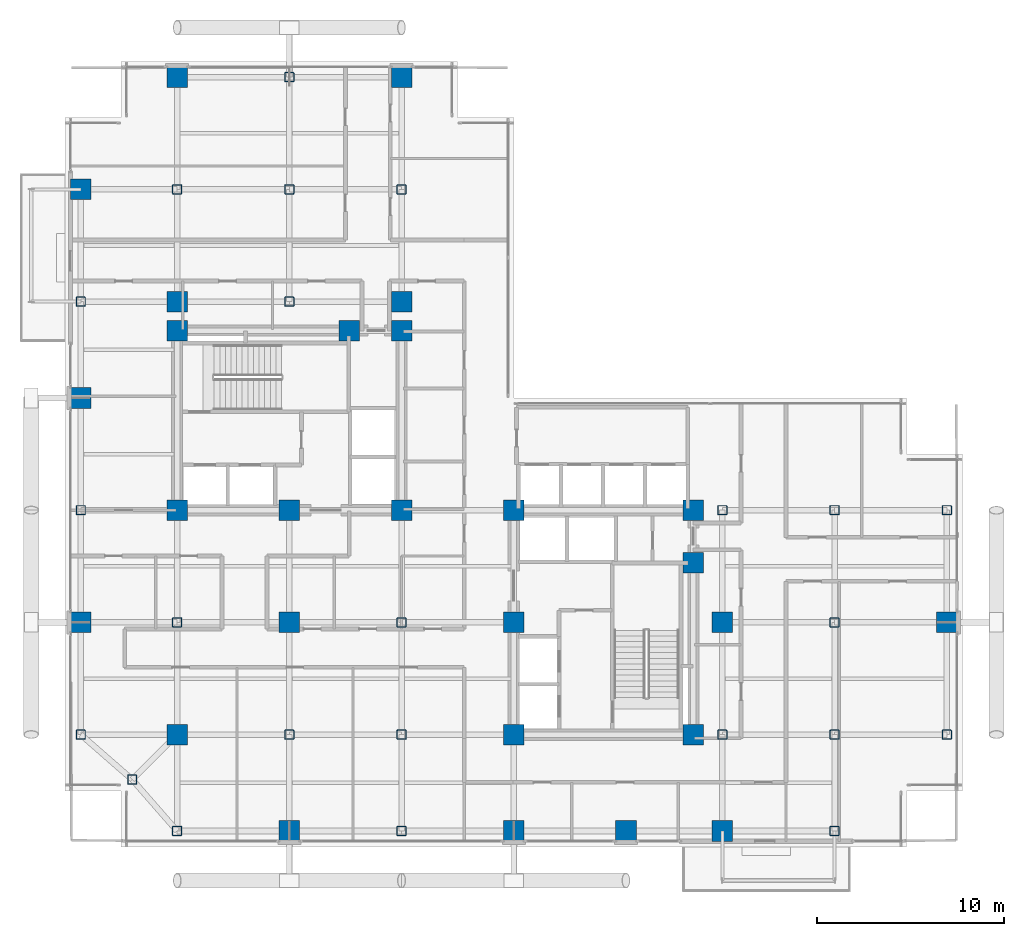
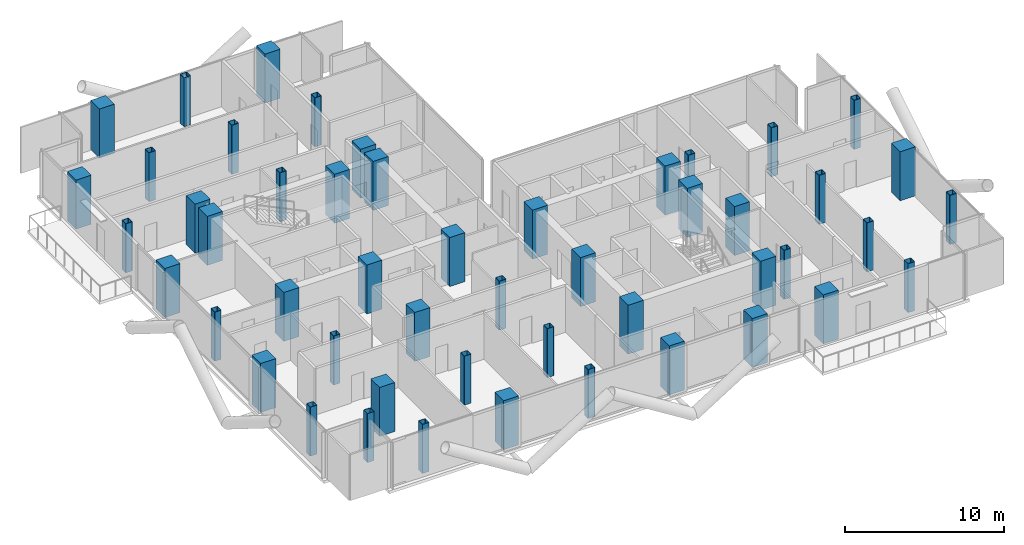
# One storey, part 1 of 28: 50 columns.
"""IFC4 building model written with IfcOpenShell, lengths in metres."""

from ifc_helpers import new_model, si_unit, direction, frame, origin, origin_2d, place, context, subcontext, project, spatial, rectangle, hollow_rectangle, extrude, material, material_profile, profile_set, type_object, element, save


model = new_model("IFC4")

# Units and contexts
model_context = context("Model", 3, precision=1e-05, world=origin(), true_north=direction((0.0, 1.0)))
body_context = subcontext(model_context, "Body", "Model", "MODEL_VIEW")
ifc_project = project(units=[si_unit("LENGTHUNIT", "METRE"), si_unit("AREAUNIT", "SQUARE_METRE"), si_unit("VOLUMEUNIT", "CUBIC_METRE"), si_unit("PLANEANGLEUNIT", "RADIAN"), si_unit("MASSUNIT", "GRAM", prefix="KILO"), si_unit("THERMODYNAMICTEMPERATUREUNIT", "KELVIN"), si_unit("POWERUNIT", "WATT")], contexts=[model_context])

# Site, building, storey
site_placement = place(None, origin())
site = spatial("IfcSite", under=ifc_project, at=site_placement, CompositionType="ELEMENT")
building_placement = place(site_placement, origin())
building = spatial("IfcBuilding", under=site, at=building_placement, Name="Svarakhadi Broadcast Tower", CompositionType="ELEMENT")
storey_placement = place(building_placement, frame((0.0, 0.0, 153.14990234375)))
storey = spatial("IfcBuildingStorey", under=building, at=storey_placement, Name="L37", CompositionType="ELEMENT", Elevation=153.14990234375)

# Columns
ifc_material_1 = material(Name="Concrete C50/60 (IS 456 M60)", Category="concrete")
ifc_material_profile_1 = material_profile(ifc_material_1, rectangle(XDim=1.10009765625, YDim=1.10009765625, at=origin_2d()), Name="RC 1100x1100")
ifc_profile_set_1 = profile_set([ifc_material_profile_1], Name="Concrete C50/60 (IS 456 M60)")
column_type_1 = type_object("IfcColumnType", Name="Col_RC1100", PredefinedType="COLUMN", material=ifc_profile_set_1)
for number, where, z_axis, x_axis, name in (
    (1, (6.0, 18.0, 0.0), (0.0, 0.0, 1.0), (1.0, 0.0, 0.0), "L37 Column CW1"),
    (2, (12.0, 18.0, 0.0), (0.0, 0.0, 1.0), (1.0, 0.0, 0.0), "L37 Column CW2"),
    (3, (18.0, 18.0, 0.0), (0.0, 0.0, 1.0), (1.0, 0.0, 0.0), "L37 Column CW3"),
    (4, (6.0, 27.60009765625, 0.0), (0.0, 0.0, 1.0), (1.0, 0.0, 0.0), "L37 Column CW4"),
    (5, (15.199951171875, 27.60009765625, 0.0), (0.0, 0.0, 1.0), (1.0, 0.0, 0.0), "L37 Column CW5"),
    (6, (18.0, 27.60009765625, 0.0), (0.0, 0.0, 1.0), (1.0, 0.0, 0.0), "L37 Column CW6"),
    (7, (24.0, 6.0, 0.0), (0.0, 0.0, 1.0), (1.0, 0.0, 0.0), "L37 Column CE1"),
    (8, (24.0, 12.0, 0.0), (0.0, 0.0, 1.0), (1.0, 0.0, 0.0), "L37 Column CE2"),
    (9, (24.0, 18.0, 0.0), (0.0, 0.0, 1.0), (1.0, 0.0, 0.0), "L37 Column CE3"),
    (10, (33.60009765625, 6.0, 0.0), (0.0, 0.0, 1.0), (1.0, 0.0, 0.0), "L37 Column CE4"),
    (11, (33.60009765625, 15.199951171875, 0.0), (0.0, 0.0, 1.0), (1.0, 0.0, 0.0), "L37 Column CE5"),
    (12, (33.60009765625, 18.0, 0.0), (0.0, 0.0, 1.0), (1.0, 0.0, 0.0), "L37 Column CE6"),
    (13, (0.85009765625, 12.0, 0.0), (0.0, 0.0, 1.0), (1.0, 0.0, 0.0), "L37 Column G04"),
    (14, (0.85009765625, 24.0, 0.0), (0.0, 0.0, 1.0), (1.0, 0.0, 0.0), "L37 Column G06"),
    (15, (0.85009765625, 35.14990234375, 0.0), (0.0, 0.0, 1.0), (1.0, 0.0, 0.0), "L37 Column G08"),
    (16, (6.0, 6.0, 0.0), (0.0, 0.0, 1.0), (1.0, 0.0, 0.0), "L37 Column G12"),
    (17, (6.0, 29.14990234375, 0.0), (0.0, 0.0, 1.0), (1.0, 0.0, 0.0), "L37 Column G14"),
    (18, (6.0, 41.14990234375, 0.0), (0.0, 0.0, 1.0), (1.0, 0.0, 0.0), "L37 Column G16"),
    (19, (12.0, 0.85009765625, 0.0), (0.0, 0.0, 1.0), (1.0, 0.0, 0.0), "L37 Column G18"),
    (20, (12.0, 12.0, 0.0), (0.0, 0.0, 1.0), (1.0, 0.0, 0.0), "L37 Column G20"),
    (21, (18.0, 29.14990234375, 0.0), (0.0, 0.0, 1.0), (1.0, 0.0, 0.0), "L37 Column G28"),
    (22, (18.0, 41.14990234375, 0.0), (0.0, 0.0, 1.0), (1.0, 0.0, 0.0), "L37 Column G30"),
    (23, (24.0, 0.85009765625, 0.0), (0.0, 0.0, 1.0), (1.0, 0.0, 0.0), "L37 Column G32"),
    (24, (30.0, 0.85009765625, 0.0), (0.0, 0.0, 1.0), (1.0, 0.0, 0.0), "L37 Column G36"),
    (25, (35.14990234375, 0.85009765625, 0.0), (0.0, 0.0, 1.0), (1.0, 0.0, 0.0), "L37 Column G38"),
    (26, (35.14990234375, 12.0, 0.0), (0.0, 0.0, 1.0), (1.0, 0.0, 0.0), "L37 Column G40"),
    (27, (47.14990234375, 12.0, 0.0), (0.0, 0.0, 1.0), (1.0, 0.0, 0.0), "L37 Column G52"),
):
    element("IfcColumn", number, at=place(storey_placement, frame(where, z_axis=z_axis, x_axis=x_axis)), inside=storey, type_object=column_type_1, Name=name, PredefinedType="COLUMN", context=body_context, shape_type="SweptSolid", body=[
        extrude(rectangle(XDim=1.10009765625, YDim=1.10009765625, at=origin_2d()), origin(), (0.0, 0.0, 1.0), 3.75),
    ])
ifc_material_2 = material(Name="Steel S460ML (IS 2062 E450BR)", Category="steel")
ifc_material_profile_2 = material_profile(ifc_material_2, hollow_rectangle(XDim=0.5, YDim=0.5, WallThickness=0.02490234375, InnerFilletRadius=0.02490234375, OuterFilletRadius=0.0400390625, at=origin_2d()), Name="SHS 500x500x25")
ifc_profile_set_2 = profile_set([ifc_material_profile_2], Name="Steel S460ML (IS 2062 E450BR)")
column_type_2 = type_object("IfcColumnType", Name="Col_SHS500", PredefinedType="COLUMN", material=ifc_profile_set_2)
for number, where, z_axis, x_axis, name in (
    (28, (3.60009765625, 3.60009765625, 0.0), (0.0, 0.0, 1.0), (1.0, 0.0, 0.0), "L37 Column G01"),
    (29, (0.85009765625, 6.0, 0.0), (0.0, 0.0, 1.0), (1.0, 0.0, 0.0), "L37 Column G03"),
    (30, (0.85009765625, 18.0, 0.0), (0.0, 0.0, 1.0), (1.0, 0.0, 0.0), "L37 Column G05"),
    (31, (0.85009765625, 29.14990234375, 0.0), (0.0, 0.0, 1.0), (1.0, 0.0, 0.0), "L37 Column G07"),
    (32, (6.0, 0.85009765625, 0.0), (0.0, 0.0, 1.0), (1.0, 0.0, 0.0), "L37 Column G11"),
    (33, (6.0, 12.0, 0.0), (0.0, 0.0, 1.0), (1.0, 0.0, 0.0), "L37 Column G13"),
    (34, (6.0, 35.14990234375, 0.0), (0.0, 0.0, 1.0), (1.0, 0.0, 0.0), "L37 Column G15"),
    (35, (12.0, 6.0, 0.0), (0.0, 0.0, 1.0), (1.0, 0.0, 0.0), "L37 Column G19"),
    (36, (12.0, 29.14990234375, 0.0), (0.0, 0.0, 1.0), (1.0, 0.0, 0.0), "L37 Column G21"),
    (37, (12.0, 35.14990234375, 0.0), (0.0, 0.0, 1.0), (1.0, 0.0, 0.0), "L37 Column G22"),
    (38, (12.0, 41.14990234375, 0.0), (0.0, 0.0, 1.0), (1.0, 0.0, 0.0), "L37 Column G23"),
    (39, (18.0, 0.85009765625, 0.0), (0.0, 0.0, 1.0), (1.0, 0.0, 0.0), "L37 Column G25"),
    (40, (18.0, 6.0, 0.0), (0.0, 0.0, 1.0), (1.0, 0.0, 0.0), "L37 Column G26"),
    (41, (18.0, 12.0, 0.0), (0.0, 0.0, 1.0), (1.0, 0.0, 0.0), "L37 Column G27"),
    (42, (18.0, 35.14990234375, 0.0), (0.0, 0.0, 1.0), (1.0, 0.0, 0.0), "L37 Column G29"),
    (43, (35.14990234375, 6.0, 0.0), (0.0, 0.0, 1.0), (1.0, 0.0, 0.0), "L37 Column G39"),
    (44, (35.14990234375, 18.0, 0.0), (0.0, 0.0, 1.0), (1.0, 0.0, 0.0), "L37 Column G41"),
    (45, (41.14990234375, 0.85009765625, 0.0), (0.0, 0.0, 1.0), (1.0, 0.0, 0.0), "L37 Column G43"),
    (46, (41.14990234375, 6.0, 0.0), (0.0, 0.0, 1.0), (1.0, 0.0, 0.0), "L37 Column G44"),
    (47, (41.14990234375, 12.0, 0.0), (0.0, 0.0, 1.0), (1.0, 0.0, 0.0), "L37 Column G45"),
    (48, (41.14990234375, 18.0, 0.0), (0.0, 0.0, 1.0), (1.0, 0.0, 0.0), "L37 Column G46"),
    (49, (47.14990234375, 6.0, 0.0), (0.0, 0.0, 1.0), (1.0, 0.0, 0.0), "L37 Column G51"),
    (50, (47.14990234375, 18.0, 0.0), (0.0, 0.0, 1.0), (1.0, 0.0, 0.0), "L37 Column G53"),
):
    element("IfcColumn", number, at=place(storey_placement, frame(where, z_axis=z_axis, x_axis=x_axis)), inside=storey, type_object=column_type_2, Name=name, PredefinedType="COLUMN", context=body_context, shape_type="SweptSolid", body=[
        extrude(hollow_rectangle(XDim=0.5, YDim=0.5, WallThickness=0.02490234375, InnerFilletRadius=0.02490234375, OuterFilletRadius=0.0400390625, at=origin_2d()), origin(), (0.0, 0.0, 1.0), 3.75),
    ])

save(model, "model.ifc")
